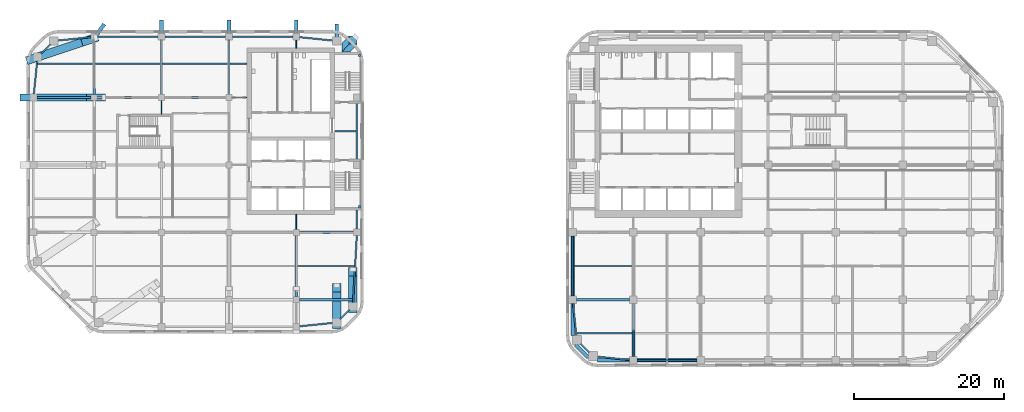
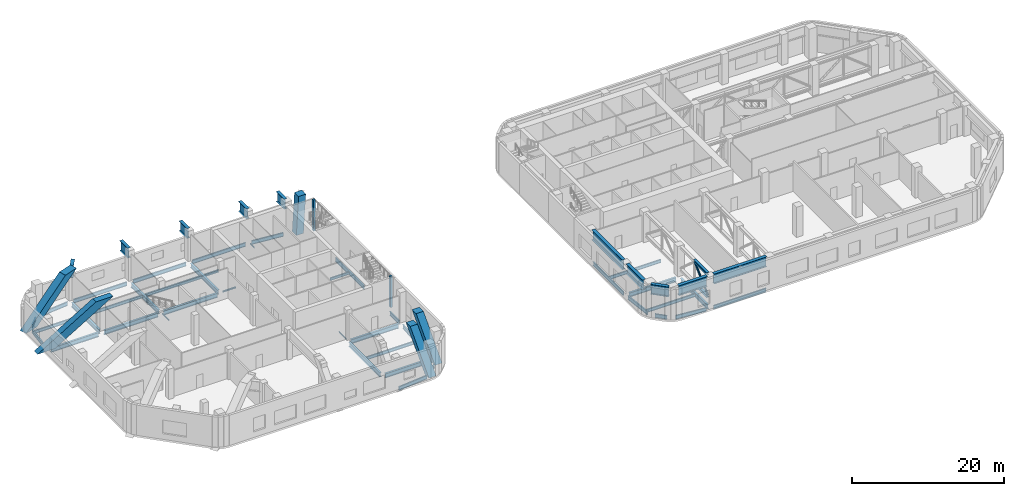
# One storey, part 2 of 23: 50 beams, 10 members.
"""IFC4 building model written with IfcOpenShell, lengths in metres."""

from ifc_helpers import new_model, si_unit, direction, frame, origin, origin_2d, place, context, subcontext, project, spatial, rectangle, hollow_circle, i_section, extrude, material, material_profile, profile_set, type_object, element, save


model = new_model("IFC4")

# Units and contexts
model_context = context("Model", 3, precision=1e-05, world=origin(), true_north=direction((0.0, 1.0)))
body_context = subcontext(model_context, "Body", "Model", "MODEL_VIEW")
ifc_project = project(units=[si_unit("LENGTHUNIT", "METRE"), si_unit("AREAUNIT", "SQUARE_METRE"), si_unit("VOLUMEUNIT", "CUBIC_METRE"), si_unit("PLANEANGLEUNIT", "RADIAN"), si_unit("MASSUNIT", "GRAM", prefix="KILO")], contexts=[model_context])

# Site, building, storey
site_placement = place(None, origin())
site = spatial("IfcSite", under=ifc_project, at=site_placement, CompositionType="ELEMENT")
building_placement = place(site_placement, origin())
building = spatial("IfcBuilding", under=site, at=building_placement, Name="Cinnabar Reach Civic Tower", CompositionType="ELEMENT")
storey_placement = place(building_placement, frame((0.0, 0.0, 46.0)))
storey = spatial("IfcBuildingStorey", under=building, at=storey_placement, Name="L10", CompositionType="ELEMENT", Elevation=46.0)

# Beams
ifc_material_1 = material(Name="Steel Q355B", Category="steel")
ifc_material_profile_1 = material_profile(ifc_material_1, i_section(OverallWidth=0.5, OverallDepth=1.6, WebThickness=0.025, FlangeThickness=0.04, at=origin_2d()), Name="BH1600x500x25x40")
ifc_profile_set_1 = profile_set([ifc_material_profile_1], Name="Steel Q355B")
beam_type_1 = type_object("IfcBeamType", Name="BELT BH1600x500x25x40 R 240", PredefinedType="BEAM", material=ifc_profile_set_1)
beam_1_placement = place(storey_placement, frame((2.9999, 1.2729, 4.05), z_axis=(-0.707106781187, 0.707106781187, 0.0), x_axis=(-0.707106781187, -0.707106781187, 0.0)))
element("IfcBeam", 1, at=beam_1_placement, inside=storey, type_object=beam_type_1, Name="BELT girder T1-L10-BG", PredefinedType="BEAM", context=body_context, shape_type="SweptSolid", body=[
    extrude(i_section(OverallWidth=0.5, OverallDepth=1.6, WebThickness=0.025, FlangeThickness=0.04, at=origin_2d()), origin(), (0.0, 0.0, 1.0), 2.4423),
])
beam_2_placement = place(storey_placement, frame((0.9, 4.2039, 4.05), z_axis=(0.0, 1.0, 0.0), x_axis=(-1.0, 0.0, 0.0)))
element("IfcBeam", 2, at=beam_2_placement, inside=storey, type_object=beam_type_1, Name="BELT girder T1-L10-BG", PredefinedType="BEAM", context=body_context, shape_type="SweptSolid", body=[
    extrude(i_section(OverallWidth=0.5, OverallDepth=1.6, WebThickness=0.025, FlangeThickness=0.04, at=origin_2d()), origin(), (0.0, 0.0, 1.0), 4.2941),
])
for number, where, z_axis, x_axis, name in (
    (3, (0.9, 9.502, 4.05), (0.0, 1.0, 0.0), (-1.0, 0.0, 0.0), "BELT girder T1-L10-BG"),
    (4, (17.498, 0.9, 4.05), (-1.0, 0.0, 0.0), (0.0, -1.0, 0.0), "BELT girder T1-L10-BG"),
):
    element("IfcBeam", number, at=place(storey_placement, frame(where, z_axis=z_axis, x_axis=x_axis)), inside=storey, type_object=beam_type_1, Name=name, PredefinedType="BEAM", context=body_context, shape_type="SweptSolid", body=[
        extrude(i_section(OverallWidth=0.5, OverallDepth=1.6, WebThickness=0.025, FlangeThickness=0.04, at=origin_2d()), origin(), (0.0, 0.0, 1.0), 7.996),
    ])
beam_3_placement = place(storey_placement, frame((8.498, 0.9, 4.05), z_axis=(-1.0, 0.0, 0.0), x_axis=(0.0, -1.0, 0.0)))
element("IfcBeam", 5, at=beam_3_placement, inside=storey, type_object=beam_type_1, Name="BELT girder T1-L10-BG", PredefinedType="BEAM", context=body_context, shape_type="SweptSolid", body=[
    extrude(i_section(OverallWidth=0.5, OverallDepth=1.6, WebThickness=0.025, FlangeThickness=0.04, at=origin_2d()), origin(), (0.0, 0.0, 1.0), 4.2941),
])

# Member
ifc_material_profile_2 = material_profile(ifc_material_1, hollow_circle(Radius=0.1365, WallThickness=0.01, at=origin_2d()), Name="CHS273x10")
ifc_profile_set_2 = profile_set([ifc_material_profile_2], Name="Steel Q355B")
member_type_1 = type_object("IfcMemberType", Name="CHS273x10 brace R 240", PredefinedType="BRACE", material=ifc_profile_set_2)
member_1_placement = place(storey_placement, frame((9.0, 4.95, 4.436), z_axis=(0.0, -0.745505036371, -0.666499993058), x_axis=(1.0, 0.0, 0.0)))
element("IfcMember", 6, at=member_1_placement, inside=storey, type_object=member_type_1, Name="Outrigger truss diagonal T1-L10-TR-S9", PredefinedType="BRACE", context=body_context, shape_type="SweptSolid", body=[
    extrude(hollow_circle(Radius=0.1365, WallThickness=0.01, at=origin_2d()), origin(), (0.0, 0.0, 1.0), 4.7592),
])

# Beams
ifc_material_profile_3 = material_profile(ifc_material_1, i_section(OverallWidth=0.099, OverallDepth=0.198, WebThickness=0.0045, FlangeThickness=0.007, FilletRadius=0.013, at=origin_2d()), Name="HN200x100x5.5x8")
ifc_profile_set_3 = profile_set([ifc_material_profile_3], Name="Steel Q355B")
beam_type_2 = type_object("IfcBeamType", Name="HN200x100x5.5x8 beam R 120", PredefinedType="BEAM", material=ifc_profile_set_3)
beam_4_placement = place(storey_placement, frame((-54.0, 33.752, -0.399), z_axis=(0.0, 1.0, 0.0), x_axis=(-1.0, 0.0, 0.0)))
element("IfcBeam", 7, at=beam_4_placement, inside=storey, type_object=beam_type_2, Name="Girder T2 L10 10", PredefinedType="BEAM", context=body_context, shape_type="SweptSolid", body=[
    extrude(i_section(OverallWidth=0.099, OverallDepth=0.198, WebThickness=0.0045, FlangeThickness=0.007, FilletRadius=0.013, at=origin_2d()), origin(), (0.0, 0.0, 1.0), 1.846),
])
beam_5_placement = place(storey_placement, frame((-36.0, 18.402, -0.399), z_axis=(0.0, 1.0, 0.0), x_axis=(-1.0, 0.0, 0.0)))
element("IfcBeam", 8, at=beam_5_placement, inside=storey, type_object=beam_type_2, Name="Girder T2 L10 19", PredefinedType="BEAM", context=body_context, shape_type="SweptSolid", body=[
    extrude(i_section(OverallWidth=0.099, OverallDepth=0.198, WebThickness=0.0045, FlangeThickness=0.007, FilletRadius=0.013, at=origin_2d()), origin(), (0.0, 0.0, 1.0), 1.996),
])
beam_6_placement = place(storey_placement, frame((-36.0, 42.602, -0.399), z_axis=(0.0, 1.0, 0.0), x_axis=(-1.0, 0.0, 0.0)))
element("IfcBeam", 9, at=beam_6_placement, inside=storey, type_object=beam_type_2, Name="Girder T2 L10 20", PredefinedType="BEAM", context=body_context, shape_type="SweptSolid", body=[
    extrude(i_section(OverallWidth=0.099, OverallDepth=0.198, WebThickness=0.0045, FlangeThickness=0.007, FilletRadius=0.013, at=origin_2d()), origin(), (0.0, 0.0, 1.0), 1.046),
])
ifc_material_profile_4 = material_profile(ifc_material_1, i_section(OverallWidth=0.124, OverallDepth=0.248, WebThickness=0.005, FlangeThickness=0.008, FilletRadius=0.013, at=origin_2d()), Name="HN250x125x6x9")
ifc_profile_set_4 = profile_set([ifc_material_profile_4], Name="Steel Q355B")
beam_type_3 = type_object("IfcBeamType", Name="HN250x125x6x9 beam R 120", PredefinedType="BEAM", material=ifc_profile_set_4)
beam_7_placement = place(storey_placement, frame((-44.598, 36.0, -0.424), z_axis=(1.0, 0.0, 0.0), x_axis=(0.0, 1.0, 0.0)))
element("IfcBeam", 10, at=beam_7_placement, inside=storey, type_object=beam_type_3, Name="Girder T2 L10 18", PredefinedType="BEAM", context=body_context, shape_type="SweptSolid", body=[
    extrude(i_section(OverallWidth=0.124, OverallDepth=0.248, WebThickness=0.005, FlangeThickness=0.008, FilletRadius=0.013, at=origin_2d()), origin(), (0.0, 0.0, 1.0), 1.996),
])
ifc_material_profile_5 = material_profile(ifc_material_1, i_section(OverallWidth=0.2, OverallDepth=0.4, WebThickness=0.008, FlangeThickness=0.013, FilletRadius=0.016, at=origin_2d()), Name="HN400x200x8x13")
ifc_profile_set_5 = profile_set([ifc_material_profile_5], Name="Steel Q355B")
beam_type_4 = type_object("IfcBeamType", Name="HN400x200x8x13 beam R 120", PredefinedType="BEAM", material=ifc_profile_set_5)
beam_8_placement = place(storey_placement, frame((-30.898, 31.5, -0.5), z_axis=(1.0, 0.0, 0.0), x_axis=(0.0, 1.0, 0.0)))
element("IfcBeam", 11, at=beam_8_placement, inside=storey, type_object=beam_type_4, Name="Secondary beam T2 L10 14", PredefinedType="BEAM", context=body_context, shape_type="SweptSolid", body=[
    extrude(i_section(OverallWidth=0.2, OverallDepth=0.4, WebThickness=0.008, FlangeThickness=0.013, FilletRadius=0.016, at=origin_2d()), origin(), (0.0, 0.0, 1.0), 2.896),
])
beam_9_placement = place(storey_placement, frame((-44.848, 40.5, -0.5), z_axis=(1.0, 0.0, 0.0), x_axis=(0.0, 1.0, 0.0)))
element("IfcBeam", 12, at=beam_9_placement, inside=storey, type_object=beam_type_4, Name="Secondary beam T2 L10 18", PredefinedType="BEAM", context=body_context, shape_type="SweptSolid", body=[
    extrude(i_section(OverallWidth=0.2, OverallDepth=0.4, WebThickness=0.008, FlangeThickness=0.013, FilletRadius=0.016, at=origin_2d()), origin(), (0.0, 0.0, 1.0), 2.246),
])
ifc_material_profile_6 = material_profile(ifc_material_1, i_section(OverallWidth=0.2, OverallDepth=0.5, WebThickness=0.01, FlangeThickness=0.016, FilletRadius=0.016, at=origin_2d()), Name="HN500x200x10x16")
ifc_profile_set_6 = profile_set([ifc_material_profile_6], Name="Steel Q355B")
beam_type_5 = type_object("IfcBeamType", Name="HN500x200x10x16 beam R 120", PredefinedType="BEAM", material=ifc_profile_set_6)
beam_10_placement = place(storey_placement, frame((-35.848, 13.5, -0.55), z_axis=(1.0, 0.0, 0.0), x_axis=(0.0, 1.0, 0.0)))
element("IfcBeam", 13, at=beam_10_placement, inside=storey, type_object=beam_type_5, Name="Secondary beam T2 L10 5", PredefinedType="BEAM", context=body_context, shape_type="SweptSolid", body=[
    extrude(i_section(OverallWidth=0.2, OverallDepth=0.5, WebThickness=0.01, FlangeThickness=0.016, FilletRadius=0.016, at=origin_2d()), origin(), (0.0, 0.0, 1.0), 7.5944),
])
beam_11_placement = place(storey_placement, frame((-70.5364, 40.5, -0.55), z_axis=(1.0, 0.0, 0.0), x_axis=(0.0, 1.0, 0.0)))
element("IfcBeam", 14, at=beam_11_placement, inside=storey, type_object=beam_type_5, Name="Secondary beam T2 L10 15", PredefinedType="BEAM", context=body_context, shape_type="SweptSolid", body=[
    extrude(i_section(OverallWidth=0.2, OverallDepth=0.5, WebThickness=0.01, FlangeThickness=0.016, FilletRadius=0.016, at=origin_2d()), origin(), (0.0, 0.0, 1.0), 7.3844),
])
for number, where, z_axis, x_axis, name in (
    (15, (-62.848, 40.5, -0.55), (1.0, 0.0, 0.0), (0.0, 1.0, 0.0), "Secondary beam T2 L10 16"),
    (16, (-53.848, 40.5, -0.55), (1.0, 0.0, 0.0), (0.0, 1.0, 0.0), "Secondary beam T2 L10 17"),
):
    element("IfcBeam", number, at=place(storey_placement, frame(where, z_axis=z_axis, x_axis=x_axis)), inside=storey, type_object=beam_type_5, Name=name, PredefinedType="BEAM", context=body_context, shape_type="SweptSolid", body=[
        extrude(i_section(OverallWidth=0.2, OverallDepth=0.5, WebThickness=0.01, FlangeThickness=0.016, FilletRadius=0.016, at=origin_2d()), origin(), (0.0, 0.0, 1.0), 8.696),
    ])
ifc_material_profile_7 = material_profile(ifc_material_1, i_section(OverallWidth=0.2, OverallDepth=0.5, WebThickness=0.01, FlangeThickness=0.016, FilletRadius=0.016, at=origin_2d()), Name="HN500x200x10x16")
ifc_profile_set_7 = profile_set([ifc_material_profile_7], Name="Steel Q355B")
beam_type_6 = type_object("IfcBeamType", Name="HN500x200x10x16 beam R 180", PredefinedType="BEAM", material=ifc_profile_set_7)
beam_12_placement = place(storey_placement, frame((1.4636, 4.5, -0.55), z_axis=(1.0, 0.0, 0.0), x_axis=(0.0, 1.0, 0.0)))
element("IfcBeam", 17, at=beam_12_placement, inside=storey, type_object=beam_type_6, Name="Secondary beam T1 L10 1", PredefinedType="BEAM", context=body_context, shape_type="SweptSolid", body=[
    extrude(i_section(OverallWidth=0.2, OverallDepth=0.5, WebThickness=0.01, FlangeThickness=0.016, FilletRadius=0.016, at=origin_2d()), origin(), (0.0, 0.0, 1.0), 7.3844),
])
beam_13_placement = place(storey_placement, frame((1.002, 13.5, -0.55), z_axis=(1.0, 0.0, 0.0), x_axis=(0.0, 1.0, 0.0)))
element("IfcBeam", 18, at=beam_13_placement, inside=storey, type_object=beam_type_6, Name="Secondary beam T1 L10 7", PredefinedType="BEAM", context=body_context, shape_type="SweptSolid", body=[
    extrude(i_section(OverallWidth=0.2, OverallDepth=0.5, WebThickness=0.01, FlangeThickness=0.016, FilletRadius=0.016, at=origin_2d()), origin(), (0.0, 0.0, 1.0), 7.846),
])
ifc_material_profile_8 = material_profile(ifc_material_1, i_section(OverallWidth=0.2, OverallDepth=0.6, WebThickness=0.011, FlangeThickness=0.017, FilletRadius=0.016, at=origin_2d()), Name="HN600x200x11x17")
ifc_profile_set_8 = profile_set([ifc_material_profile_8], Name="Steel Q355B")
beam_type_7 = type_object("IfcBeamType", Name="HN600x200x11x17 beam R 120", PredefinedType="BEAM", material=ifc_profile_set_8)
beam_14_placement = place(storey_placement, frame((-35.548, 5.4463, -0.6), z_axis=(0.994792272495, 0.101923179821, 0.0), x_axis=(-0.101923179821, 0.994792272495, 0.0)))
element("IfcBeam", 19, at=beam_14_placement, inside=storey, type_object=beam_type_7, Name="Edge beam T2 L10 4", PredefinedType="BEAM", context=body_context, shape_type="SweptSolid", body=[
    extrude(i_section(OverallWidth=0.2, OverallDepth=0.6, WebThickness=0.011, FlangeThickness=0.017, FilletRadius=0.016, at=origin_2d()), origin(), (0.0, 0.0, 1.0), 4.5377),
])
beam_15_placement = place(storey_placement, frame((-30.1699, 6.3851, -0.6), z_axis=(0.707106781187, 0.707106781187, 0.0), x_axis=(-0.707106781187, 0.707106781187, 0.0)))
element("IfcBeam", 20, at=beam_15_placement, inside=storey, type_object=beam_type_7, Name="Edge beam T2 L10 5", PredefinedType="BEAM", context=body_context, shape_type="SweptSolid", body=[
    extrude(i_section(OverallWidth=0.2, OverallDepth=0.6, WebThickness=0.011, FlangeThickness=0.017, FilletRadius=0.016, at=origin_2d()), origin(), (0.0, 0.0, 1.0), 1.817),
])
beam_16_placement = place(storey_placement, frame((-28.429, 8.5339, -0.6), z_axis=(0.055792085863, 0.998442408532, 0.0), x_axis=(-0.998442408532, 0.055792085863, 0.0)))
element("IfcBeam", 21, at=beam_16_placement, inside=storey, type_object=beam_type_7, Name="Edge beam T2 L10 6", PredefinedType="BEAM", context=body_context, shape_type="SweptSolid", body=[
    extrude(i_section(OverallWidth=0.2, OverallDepth=0.6, WebThickness=0.011, FlangeThickness=0.017, FilletRadius=0.016, at=origin_2d()), origin(), (0.0, 0.0, 1.0), 9.0282),
])
beam_17_placement = place(storey_placement, frame((-27.9, 18.452, -0.6), z_axis=(0.0, 1.0, 0.0), x_axis=(-1.0, 0.0, 0.0)))
element("IfcBeam", 22, at=beam_17_placement, inside=storey, type_object=beam_type_7, Name="Edge beam T2 L10 7", PredefinedType="BEAM", context=body_context, shape_type="SweptSolid", body=[
    extrude(i_section(OverallWidth=0.2, OverallDepth=0.6, WebThickness=0.011, FlangeThickness=0.017, FilletRadius=0.016, at=origin_2d()), origin(), (0.0, 0.0, 1.0), 2.546),
])
beam_18_placement = place(storey_placement, frame((-27.9, 27.752, -0.6), z_axis=(0.0, 1.0, 0.0), x_axis=(-1.0, 0.0, 0.0)))
element("IfcBeam", 23, at=beam_18_placement, inside=storey, type_object=beam_type_7, Name="Edge beam T2 L10 8", PredefinedType="BEAM", context=body_context, shape_type="SweptSolid", body=[
    extrude(i_section(OverallWidth=0.2, OverallDepth=0.6, WebThickness=0.011, FlangeThickness=0.017, FilletRadius=0.016, at=origin_2d()), origin(), (0.0, 0.0, 1.0), 7.496),
])
beam_19_placement = place(storey_placement, frame((-31.0339, 43.5912, -0.6), z_axis=(-0.994792272495, 0.101923179821, 0.0), x_axis=(-0.101923179821, -0.994792272495, 0.0)))
element("IfcBeam", 24, at=beam_19_placement, inside=storey, type_object=beam_type_7, Name="Edge beam T2 L10 9", PredefinedType="BEAM", context=body_context, shape_type="SweptSolid", body=[
    extrude(i_section(OverallWidth=0.2, OverallDepth=0.6, WebThickness=0.011, FlangeThickness=0.017, FilletRadius=0.016, at=origin_2d()), origin(), (0.0, 0.0, 1.0), 4.5377),
])
for number, where, z_axis, x_axis, name in (
    (25, (-36.452, 44.1, -0.6), (-1.0, 0.0, 0.0), (0.0, -1.0, 0.0), "Edge beam T2 L10 10"),
    (26, (-45.452, 44.1, -0.6), (-1.0, 0.0, 0.0), (0.0, -1.0, 0.0), "Edge beam T2 L10 11"),
    (27, (-54.452, 44.1, -0.6), (-1.0, 0.0, 0.0), (0.0, -1.0, 0.0), "Edge beam T2 L10 12"),
):
    element("IfcBeam", number, at=place(storey_placement, frame(where, z_axis=z_axis, x_axis=x_axis)), inside=storey, type_object=beam_type_7, Name=name, PredefinedType="BEAM", context=body_context, shape_type="SweptSolid", body=[
        extrude(i_section(OverallWidth=0.2, OverallDepth=0.6, WebThickness=0.011, FlangeThickness=0.017, FilletRadius=0.016, at=origin_2d()), origin(), (0.0, 0.0, 1.0), 8.096),
    ])
beam_20_placement = place(storey_placement, frame((-63.452, 44.0537, -0.6), z_axis=(-0.994792272495, -0.101923179821, 0.0), x_axis=(0.101923179821, -0.994792272495, 0.0)))
element("IfcBeam", 28, at=beam_20_placement, inside=storey, type_object=beam_type_7, Name="Edge beam T2 L10 13", PredefinedType="BEAM", context=body_context, shape_type="SweptSolid", body=[
    extrude(i_section(OverallWidth=0.2, OverallDepth=0.6, WebThickness=0.011, FlangeThickness=0.017, FilletRadius=0.016, at=origin_2d()), origin(), (0.0, 0.0, 1.0), 4.5377),
])
beam_21_placement = place(storey_placement, frame((-68.8301, 43.1149, -0.6), z_axis=(-0.707106781187, -0.707106781187, 0.0), x_axis=(0.707106781187, -0.707106781187, 0.0)))
element("IfcBeam", 29, at=beam_21_placement, inside=storey, type_object=beam_type_7, Name="Edge beam T2 L10 14", PredefinedType="BEAM", context=body_context, shape_type="SweptSolid", body=[
    extrude(i_section(OverallWidth=0.2, OverallDepth=0.6, WebThickness=0.011, FlangeThickness=0.017, FilletRadius=0.016, at=origin_2d()), origin(), (0.0, 0.0, 1.0), 1.817),
])
beam_22_placement = place(storey_placement, frame((-70.5912, 40.9661, -0.6), z_axis=(-0.101923179821, -0.994792272495, 0.0), x_axis=(0.994792272495, -0.101923179821, 0.0)))
element("IfcBeam", 30, at=beam_22_placement, inside=storey, type_object=beam_type_7, Name="Edge beam T2 L10 15", PredefinedType="BEAM", context=body_context, shape_type="SweptSolid", body=[
    extrude(i_section(OverallWidth=0.2, OverallDepth=0.6, WebThickness=0.011, FlangeThickness=0.017, FilletRadius=0.016, at=origin_2d()), origin(), (0.0, 0.0, 1.0), 4.5377),
])
ifc_material_profile_9 = material_profile(ifc_material_1, i_section(OverallWidth=0.2, OverallDepth=0.6, WebThickness=0.011, FlangeThickness=0.017, FilletRadius=0.016, at=origin_2d()), Name="HN600x200x11x17")
ifc_profile_set_9 = profile_set([ifc_material_profile_9], Name="Steel Q355B")
beam_type_8 = type_object("IfcBeamType", Name="HN600x200x11x17 beam R 180", PredefinedType="BEAM", material=ifc_profile_set_9)
beam_23_placement = place(storey_placement, frame((4.0839, 1.4037, -0.6), z_axis=(0.994791228755, -0.101933366432, 0.0), x_axis=(0.101933366432, 0.994791228755, 0.0)))
element("IfcBeam", 31, at=beam_23_placement, inside=storey, type_object=beam_type_8, Name="Edge beam T1 L10 1", PredefinedType="BEAM", context=body_context, shape_type="SweptSolid", body=[
    extrude(i_section(OverallWidth=0.2, OverallDepth=0.6, WebThickness=0.011, FlangeThickness=0.017, FilletRadius=0.016, at=origin_2d()), origin(), (0.0, 0.0, 1.0), 4.4372),
])
for number, where, z_axis, x_axis, name in (
    (32, (9.502, 0.9, -0.6), (1.0, 0.0, 0.0), (0.0, 1.0, 0.0), "Edge beam T1 L10 2"),
    (33, (0.9, 17.498, -0.6), (0.0, -1.0, 0.0), (1.0, 0.0, 0.0), "Edge beam T1 L10 22"),
):
    element("IfcBeam", number, at=place(storey_placement, frame(where, z_axis=z_axis, x_axis=x_axis)), inside=storey, type_object=beam_type_8, Name=name, PredefinedType="BEAM", context=body_context, shape_type="SweptSolid", body=[
        extrude(i_section(OverallWidth=0.2, OverallDepth=0.6, WebThickness=0.011, FlangeThickness=0.017, FilletRadius=0.016, at=origin_2d()), origin(), (0.0, 0.0, 1.0), 7.996),
    ])
beam_24_placement = place(storey_placement, frame((0.9514, 8.498, -0.6), z_axis=(0.101933366432, -0.994791228755, 0.0), x_axis=(0.994791228755, 0.101933366432, 0.0)))
element("IfcBeam", 34, at=beam_24_placement, inside=storey, type_object=beam_type_8, Name="Edge beam T1 L10 23", PredefinedType="BEAM", context=body_context, shape_type="SweptSolid", body=[
    extrude(i_section(OverallWidth=0.2, OverallDepth=0.6, WebThickness=0.011, FlangeThickness=0.017, FilletRadius=0.016, at=origin_2d()), origin(), (0.0, 0.0, 1.0), 4.4372),
])
beam_25_placement = place(storey_placement, frame((1.9351, 3.1199, -0.6), z_axis=(0.707106781187, -0.707106781187, 0.0), x_axis=(0.707106781187, 0.707106781187, 0.0)))
element("IfcBeam", 35, at=beam_25_placement, inside=storey, type_object=beam_type_8, Name="Edge beam T1 L10 24", PredefinedType="BEAM", context=body_context, shape_type="SweptSolid", body=[
    extrude(i_section(OverallWidth=0.2, OverallDepth=0.6, WebThickness=0.011, FlangeThickness=0.017, FilletRadius=0.016, at=origin_2d()), origin(), (0.0, 0.0, 1.0), 1.6756),
])
ifc_material_profile_10 = material_profile(ifc_material_1, i_section(OverallWidth=0.3, OverallDepth=0.692, WebThickness=0.013, FlangeThickness=0.02, FilletRadius=0.016, at=origin_2d()), Name="HN692x300x13x20")
ifc_profile_set_10 = profile_set([ifc_material_profile_10], Name="Steel Q355B")
beam_type_9 = type_object("IfcBeamType", Name="HN692x300x13x20 beam R 120", PredefinedType="BEAM", material=ifc_profile_set_10)
for number, where, z_axis, x_axis, name in (
    (36, (-63.0, 36.402, -0.646), (0.0, 1.0, 0.0), (-1.0, 0.0, 0.0), "Girder T2 L10 5"),
    (37, (-54.0, 36.402, -0.646), (0.0, 1.0, 0.0), (-1.0, 0.0, 0.0), "Girder T2 L10 11"),
    (38, (-45.0, 36.402, -0.646), (0.0, 1.0, 0.0), (-1.0, 0.0, 0.0), "Girder T2 L10 16"),
):
    element("IfcBeam", number, at=place(storey_placement, frame(where, z_axis=z_axis, x_axis=x_axis)), inside=storey, type_object=beam_type_9, Name=name, PredefinedType="BEAM", context=body_context, shape_type="SweptSolid", body=[
        extrude(i_section(OverallWidth=0.3, OverallDepth=0.692, WebThickness=0.013, FlangeThickness=0.02, FilletRadius=0.016, at=origin_2d()), origin(), (0.0, 0.0, 1.0), 7.246),
    ])
beam_26_placement = place(storey_placement, frame((-36.0, 9.402, -0.646), z_axis=(0.0, 1.0, 0.0), x_axis=(-1.0, 0.0, 0.0)))
element("IfcBeam", 39, at=beam_26_placement, inside=storey, type_object=beam_type_9, Name="Girder T2 L10 18", PredefinedType="BEAM", context=body_context, shape_type="SweptSolid", body=[
    extrude(i_section(OverallWidth=0.3, OverallDepth=0.692, WebThickness=0.013, FlangeThickness=0.02, FilletRadius=0.016, at=origin_2d()), origin(), (0.0, 0.0, 1.0), 8.196),
])
ifc_material_profile_11 = material_profile(ifc_material_1, i_section(OverallWidth=0.3, OverallDepth=0.692, WebThickness=0.013, FlangeThickness=0.02, FilletRadius=0.016, at=origin_2d()), Name="HN692x300x13x20")
ifc_profile_set_11 = profile_set([ifc_material_profile_11], Name="Steel Q355B")
beam_type_10 = type_object("IfcBeamType", Name="HN692x300x13x20 beam R 180", PredefinedType="BEAM", material=ifc_profile_set_11)
beam_27_placement = place(storey_placement, frame((9.0, 1.402, -0.646), z_axis=(0.0, 1.0, 0.0), x_axis=(-1.0, 0.0, 0.0)))
element("IfcBeam", 40, at=beam_27_placement, inside=storey, type_object=beam_type_10, Name="Girder T1 L10 1", PredefinedType="BEAM", context=body_context, shape_type="SweptSolid", body=[
    extrude(i_section(OverallWidth=0.3, OverallDepth=0.692, WebThickness=0.013, FlangeThickness=0.02, FilletRadius=0.016, at=origin_2d()), origin(), (0.0, 0.0, 1.0), 7.096),
])
ifc_material_profile_12 = material_profile(ifc_material_1, i_section(OverallWidth=0.3, OverallDepth=0.7, WebThickness=0.013, FlangeThickness=0.024, FilletRadius=0.02, at=origin_2d()), Name="HN700x300x13x24")
ifc_profile_set_12 = profile_set([ifc_material_profile_12], Name="Steel Q355B")
beam_type_11 = type_object("IfcBeamType", Name="HN700x300x13x24 beam R 120", PredefinedType="BEAM", material=ifc_profile_set_12)
beam_28_placement = place(storey_placement, frame((-35.598, 9.0, -0.65), z_axis=(1.0, 0.0, 0.0), x_axis=(0.0, 1.0, 0.0)))
element("IfcBeam", 41, at=beam_28_placement, inside=storey, type_object=beam_type_11, Name="Girder T2 L10 5", PredefinedType="BEAM", context=body_context, shape_type="SweptSolid", body=[
    extrude(i_section(OverallWidth=0.3, OverallDepth=0.7, WebThickness=0.013, FlangeThickness=0.024, FilletRadius=0.02, at=origin_2d()), origin(), (0.0, 0.0, 1.0), 7.0929),
])
for number, where, z_axis, x_axis, name in (
    (42, (-35.598, 18.0, -0.65), (1.0, 0.0, 0.0), (0.0, 1.0, 0.0), "Girder T2 L10 10"),
    (43, (-70.648, 36.0, -0.65), (1.0, 0.0, 0.0), (0.0, 1.0, 0.0), "Girder T2 L10 15"),
):
    element("IfcBeam", number, at=place(storey_placement, frame(where, z_axis=z_axis, x_axis=x_axis)), inside=storey, type_object=beam_type_11, Name=name, PredefinedType="BEAM", context=body_context, shape_type="SweptSolid", body=[
        extrude(i_section(OverallWidth=0.3, OverallDepth=0.7, WebThickness=0.013, FlangeThickness=0.024, FilletRadius=0.02, at=origin_2d()), origin(), (0.0, 0.0, 1.0), 7.246),
    ])
for number, where, z_axis, x_axis, name in (
    (44, (-62.598, 36.0, -0.65), (1.0, 0.0, 0.0), (0.0, 1.0, 0.0), "Girder T2 L10 16"),
    (45, (-53.598, 36.0, -0.65), (1.0, 0.0, 0.0), (0.0, 1.0, 0.0), "Girder T2 L10 17"),
):
    element("IfcBeam", number, at=place(storey_placement, frame(where, z_axis=z_axis, x_axis=x_axis)), inside=storey, type_object=beam_type_11, Name=name, PredefinedType="BEAM", context=body_context, shape_type="SweptSolid", body=[
        extrude(i_section(OverallWidth=0.3, OverallDepth=0.7, WebThickness=0.013, FlangeThickness=0.024, FilletRadius=0.02, at=origin_2d()), origin(), (0.0, 0.0, 1.0), 8.196),
    ])
ifc_material_profile_13 = material_profile(ifc_material_1, i_section(OverallWidth=0.3, OverallDepth=0.7, WebThickness=0.013, FlangeThickness=0.024, FilletRadius=0.02, at=origin_2d()), Name="HN700x300x13x24")
ifc_profile_set_13 = profile_set([ifc_material_profile_13], Name="Steel Q355B")
beam_type_12 = type_object("IfcBeamType", Name="HN700x300x13x24 beam R 180", PredefinedType="BEAM", material=ifc_profile_set_13)
beam_29_placement = place(storey_placement, frame((1.402, 9.0, -0.65), z_axis=(1.0, 0.0, 0.0), x_axis=(0.0, 1.0, 0.0)))
element("IfcBeam", 46, at=beam_29_placement, inside=storey, type_object=beam_type_12, Name="Girder T1 L10 1", PredefinedType="BEAM", context=body_context, shape_type="SweptSolid", body=[
    extrude(i_section(OverallWidth=0.3, OverallDepth=0.7, WebThickness=0.013, FlangeThickness=0.024, FilletRadius=0.02, at=origin_2d()), origin(), (0.0, 0.0, 1.0), 7.096),
])

# Members
ifc_material_profile_14 = material_profile(ifc_material_1, i_section(OverallWidth=0.405, OverallDepth=0.414, WebThickness=0.018, FlangeThickness=0.028, FilletRadius=0.016, at=origin_2d()), Name="HW414x405x18x28")
ifc_profile_set_14 = profile_set([ifc_material_profile_14], Name="Steel Q355B")
member_type_2 = type_object("IfcMemberType", Name="HW414x405x18x28 chord R 240", PredefinedType="CHORD", material=ifc_profile_set_14)
for number, where, z_axis, x_axis, name in (
    (47, (9.0, 4.95, 4.643), (0.0, -1.0, 0.0), (1.0, 0.0, 0.0), "Outrigger truss chord T1-L10-TR-S9"),
    (48, (9.0, 4.95, 1.057), (0.0, -1.0, 0.0), (1.0, 0.0, 0.0), "Outrigger truss chord T1-L10-TR-S9"),
):
    element("IfcMember", number, at=place(storey_placement, frame(where, z_axis=z_axis, x_axis=x_axis)), inside=storey, type_object=member_type_2, Name=name, PredefinedType="CHORD", context=body_context, shape_type="SweptSolid", body=[
        extrude(i_section(OverallWidth=0.405, OverallDepth=0.414, WebThickness=0.018, FlangeThickness=0.028, FilletRadius=0.016, at=origin_2d()), origin(), (0.0, 0.0, 1.0), 3.548),
    ])
ifc_material_2 = material(Name="Concrete C80", Category="concrete")
ifc_material_profile_15 = material_profile(ifc_material_2, rectangle(XDim=1.1, YDim=1.1, at=origin_2d()), Name="RC1100")
ifc_profile_set_15 = profile_set([ifc_material_profile_15], Name="Concrete C80")
member_type_3 = type_object("IfcMemberType", Name="RC1100 raked column R 180", PredefinedType="STRUT", material=ifc_profile_set_15)
for number, where, z_axis, x_axis, name in (
    (49, (-30.6019, 5.6747, -0.3), (0.0, 0.0, 1.0), (1.0, 0.0, 0.0), "Raked column T2-Z1-CC1"),
    (50, (-28.4531, 7.8235, -0.3), (0.0, 0.0, 1.0), (1.0, 0.0, 0.0), "Raked column T2-Z1-CC2"),
):
    element("IfcMember", number, at=place(storey_placement, frame(where, z_axis=z_axis, x_axis=x_axis)), inside=storey, type_object=member_type_3, Name=name, PredefinedType="STRUT", context=body_context, shape_type="SweptSolid", body=[
        extrude(rectangle(XDim=1.1, YDim=1.1, at=origin_2d()), origin(), (0.0, 0.680166692317, 0.733057481145), 7.23),
    ])
member_2_placement = place(storey_placement, frame((-29.3663, 42.6414, -0.3), z_axis=(0.0, 0.0, 1.0), x_axis=(1.0, 0.0, 0.0)))
element("IfcMember", 51, at=member_2_placement, inside=storey, type_object=member_type_3, Name="Raked column T2-Z1-CC3", PredefinedType="STRUT", context=body_context, shape_type="SweptSolid", body=[
    extrude(rectangle(XDim=1.1, YDim=1.1, at=origin_2d()), origin(), (0.171450340063, 0.189000374873, 0.966893809676), 5.4815),
])
ifc_material_profile_16 = material_profile(ifc_material_2, rectangle(XDim=2.2, YDim=1.1, at=origin_2d()), Name="RC2200x1100")
ifc_profile_set_16 = profile_set([ifc_material_profile_16], Name="Concrete C80")
member_type_4 = type_object("IfcMemberType", Name="RC2200x1100 raked strut R 180", PredefinedType="STRUT", material=ifc_profile_set_16)
member_3_placement = place(storey_placement, frame((-70.9644, 41.2589, -0.3), z_axis=(0.0, 0.0, 1.0), x_axis=(0.948683015593, 0.316228613389, 0.0)))
element("IfcMember", 52, at=member_3_placement, inside=storey, type_object=member_type_4, Name="Raked column T2-Z1-CC6", PredefinedType="STRUT", context=body_context, shape_type="SweptSolid", body=[
    extrude(rectangle(XDim=2.2, YDim=1.1, at=origin_2d()), origin(), (0.826294116348, 2.622547e-06, 0.563238877637), 9.4099),
])
ifc_material_3 = material(Name="Concrete C70", Category="concrete")
ifc_material_profile_17 = material_profile(ifc_material_3, rectangle(XDim=2.6, YDim=0.9, at=origin_2d()), Name="RC2600x900")
ifc_profile_set_17 = profile_set([ifc_material_profile_17], Name="Concrete C70")
member_type_5 = type_object("IfcMemberType", Name="RC2600x900 raked strut R 180", PredefinedType="STRUT", material=ifc_profile_set_17)
member_4_placement = place(storey_placement, frame((-71.6, 36.0, -0.3), z_axis=(0.0, 0.0, 1.0), x_axis=(1.0, 0.0, 0.0)))
element("IfcMember", 53, at=member_4_placement, inside=storey, type_object=member_type_5, Name="Raked column T2-Z1-F6-4", PredefinedType="STRUT", context=body_context, shape_type="SweptSolid", body=[
    extrude(rectangle(XDim=2.6, YDim=0.9, at=origin_2d()), origin(), (0.857933100558, 0.0, 0.513761418333), 10.3161),
])
ifc_material_4 = material(Name="Concrete C40", Category="concrete")
ifc_material_profile_18 = material_profile(ifc_material_4, rectangle(XDim=0.3, YDim=0.3, at=origin_2d()), Name="C300")
ifc_profile_set_18 = profile_set([ifc_material_profile_18], Name="Concrete C40")
member_type_6 = type_object("IfcMemberType", Name="T2 stair post 300", PredefinedType="STRUT", material=ifc_profile_set_18)
for number, where, z_axis, x_axis, name in (
    (54, (-27.55, 21.4, 0.0), (0.0, 0.0, 1.0), (1.0, 0.0, 0.0), "Stair post 1"),
    (55, (-27.55, 41.6, 0.0), (0.0, 0.0, 1.0), (1.0, 0.0, 0.0), "Stair post 2"),
):
    element("IfcMember", number, at=place(storey_placement, frame(where, z_axis=z_axis, x_axis=x_axis)), inside=storey, type_object=member_type_6, Name=name, PredefinedType="STRUT", context=body_context, shape_type="SweptSolid", body=[
        extrude(rectangle(XDim=0.3, YDim=0.3, at=origin_2d()), origin(), (0.0, 0.0, 1.0), 5.0),
    ])

# Beams
ifc_material_profile_19 = material_profile(ifc_material_1, i_section(OverallWidth=0.5, OverallDepth=1.6, WebThickness=0.025, FlangeThickness=0.04, at=origin_2d()), Name="BH1600x500x25x40")
ifc_profile_set_19 = profile_set([ifc_material_profile_19], Name="Steel Q355B")
beam_type_13 = type_object("IfcBeamType", Name="TRANSFER BH1600x500x25x40 R 180", PredefinedType="BEAM", material=ifc_profile_set_19)
for number, where, z_axis, x_axis, name in (
    (56, (-30.6019, 43.7169, 4.05), (0.0, 1.0, 0.0), (-1.0, 0.0, 0.0), "TRANSFER girder T2-L10-TG-CC4"),
    (57, (-62.8671, 44.1116, 4.05), (0.586071435969, 0.810259385593, 0.0), (-0.810259385593, 0.586071435969, 0.0), "TRANSFER girder T2-L10-TG-CC5"),
    (58, (-36.0, 44.27, 4.05), (0.0, 1.0, 0.0), (-1.0, 0.0, 0.0), "TRANSFER girder T2-L10-TG-F4--4"),
    (59, (-45.0, 44.27, 4.05), (0.0, 1.0, 0.0), (-1.0, 0.0, 0.0), "TRANSFER girder T2-L10-TG-F4--5"),
    (60, (-54.0, 44.27, 4.05), (0.0, 1.0, 0.0), (-1.0, 0.0, 0.0), "TRANSFER girder T2-L10-TG-F4--6"),
):
    element("IfcBeam", number, at=place(storey_placement, frame(where, z_axis=z_axis, x_axis=x_axis)), inside=storey, type_object=beam_type_13, Name=name, PredefinedType="BEAM", context=body_context, shape_type="SweptSolid", body=[
        extrude(i_section(OverallWidth=0.5, OverallDepth=1.6, WebThickness=0.025, FlangeThickness=0.04, at=origin_2d()), origin(), (0.0, 0.0, 1.0), 2.08),
    ])

save(model, "model.ifc")
